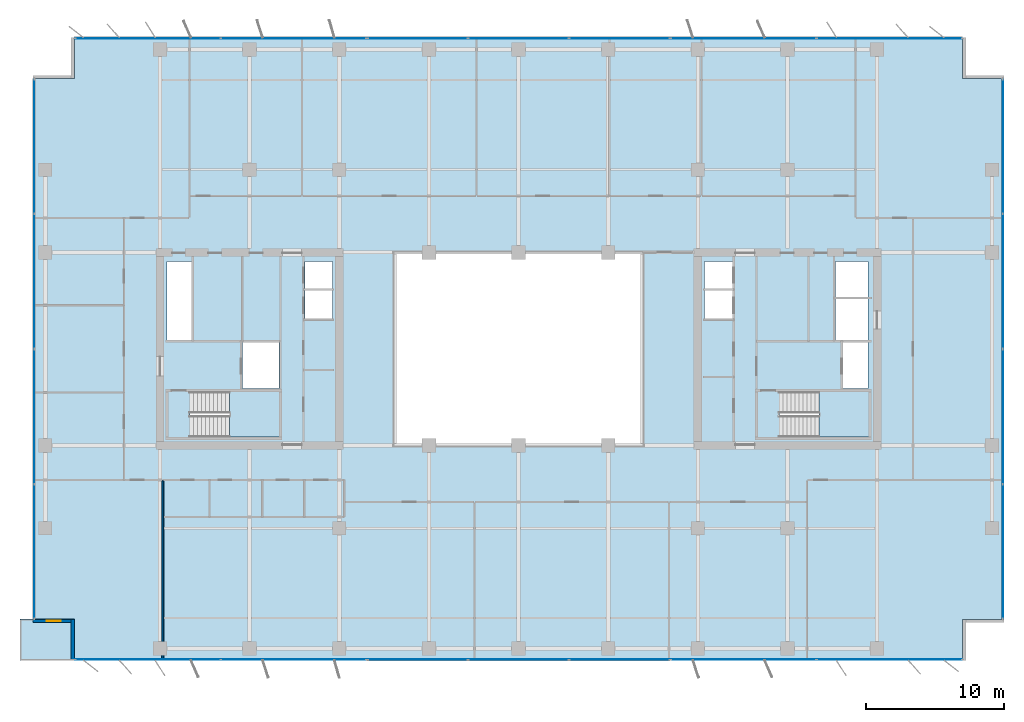
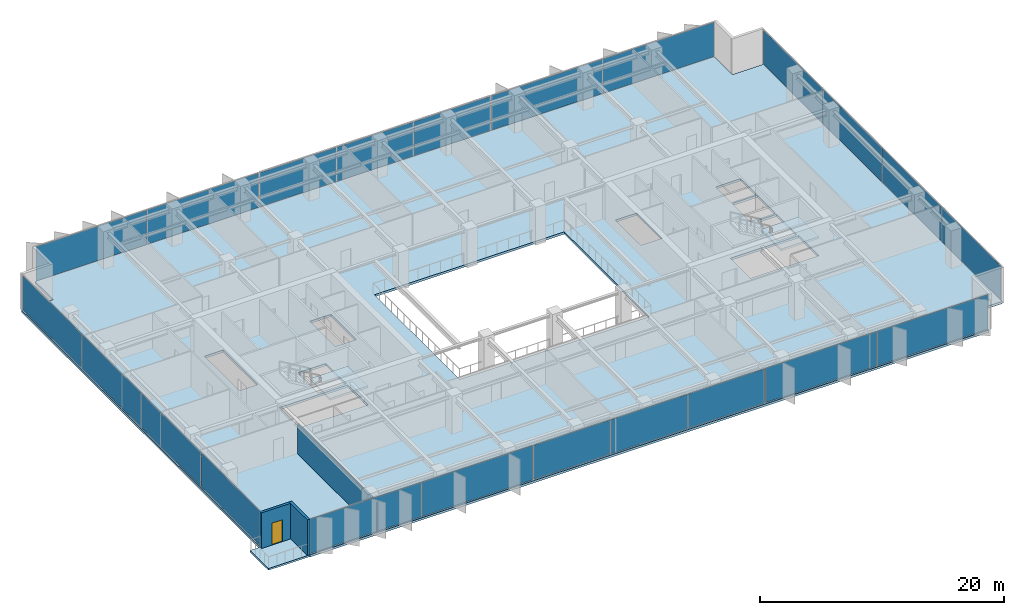
# One storey, part 14 of 22: 22 plates, 4 slabs, 3 walls, 1 door, 1 opening, 10 elements without a shape of their own.
"""IFC4 building model written with IfcOpenShell, lengths in metres."""

from ifc_helpers import new_model, si_unit, direction, frame, frame_2d, origin, origin_2d, place, context, subcontext, project, spatial, polyline, rectangle, outline, extrude, material, layer, layer_set, type_object, element, fill, aggregate, save


model = new_model("IFC4")

# Units and contexts
model_context = context("Model", 3, precision=1e-05, world=origin(), true_north=direction((0.0, 1.0)))
body_context = subcontext(model_context, "Body", "Model", "MODEL_VIEW")
ifc_project = project(units=[si_unit("LENGTHUNIT", "METRE"), si_unit("AREAUNIT", "SQUARE_METRE"), si_unit("VOLUMEUNIT", "CUBIC_METRE"), si_unit("PLANEANGLEUNIT", "RADIAN"), si_unit("MASSUNIT", "GRAM", prefix="KILO")], contexts=[model_context])

# Site, building, storey
site_placement = place(None, origin())
site = spatial("IfcSite", under=ifc_project, at=site_placement, CompositionType="ELEMENT")
building_placement = place(site_placement, origin())
building = spatial("IfcBuilding", under=site, at=building_placement, Name="Putna Gate Headquarters", CompositionType="ELEMENT")
storey_placement = place(building_placement, frame((0.0, 0.0, 159.39990234375)))
storey = spatial("IfcBuildingStorey", under=building, at=storey_placement, Name="L39", CompositionType="ELEMENT", Elevation=159.39990234375)

# Stair, slab
ifc_material_1 = material(Name="Concrete C40/50", Category="concrete")
stair_type_1 = type_object("IfcStairType", Name="STAIR-ST1", PredefinedType="HALF_TURN_STAIR", material=ifc_material_1)
stair_1_placement = place(storey_placement, origin())
stair_1 = element("IfcStair", 1, at=stair_1_placement, inside=storey, type_object=stair_type_1, Name="L39 West Core Exit Stair ST1", PredefinedType="HALF_TURN_STAIR")
ifc_layer_1 = layer(ifc_material_1, 0.199951171875)
ifc_layer_set_1 = layer_set([ifc_layer_1], Name="Concrete C40/50")
slab_type_1 = type_object("IfcSlabType", Name="LANDING-ST1", PredefinedType="LANDING", material=ifc_layer_set_1)
slab_1_placement = place(storey_placement, frame((0.0, 0.0, 1.7001953125)))
slab_1 = element("IfcSlab", 2, at=slab_1_placement, type_object=slab_type_1, Name="ST1 landing 1", PredefinedType="LANDING", context=body_context, shape_type="SweptSolid", body=[
    extrude(outline(polyline([(18.050048828125, 19.60009765625), (21.64990234375, 19.60009765625), (21.64990234375, 22.89990234375), (18.050048828125, 22.89990234375), (18.050048828125, 19.60009765625)])), origin(), (0.0, 0.0, 1.0), 0.199951171875),
])
aggregate(stair_1, [slab_1])

stair_type_2 = type_object("IfcStairType", Name="STAIR-ST2", PredefinedType="HALF_TURN_STAIR", material=ifc_material_1)
stair_2_placement = place(storey_placement, origin())
stair_2 = element("IfcStair", 3, at=stair_2_placement, inside=storey, type_object=stair_type_2, Name="L39 East Core Exit Stair ST2", PredefinedType="HALF_TURN_STAIR")
ifc_layer_2 = layer(ifc_material_1, 0.199951171875)
ifc_layer_set_2 = layer_set([ifc_layer_2], Name="Concrete C40/50")
slab_type_2 = type_object("IfcSlabType", Name="LANDING-ST2", PredefinedType="LANDING", material=ifc_layer_set_2)
slab_2_placement = place(storey_placement, frame((0.0, 0.0, 1.7001953125)))
slab_2 = element("IfcSlab", 4, at=slab_2_placement, type_object=slab_type_2, Name="ST2 landing 1", PredefinedType="LANDING", context=body_context, shape_type="SweptSolid", body=[
    extrude(outline(polyline([(60.800048828125, 19.60009765625), (64.39990234375, 19.60009765625), (64.39990234375, 22.89990234375), (60.800048828125, 22.89990234375), (60.800048828125, 19.60009765625)])), origin(), (0.0, 0.0, 1.0), 0.199951171875),
])
aggregate(stair_2, [slab_2])

# Curtain wall, plates
ifc_material_2 = material(Name="Anodised bronze aluminium curtain wall", Category="aluminium")
ifc_layer_3 = layer(ifc_material_2, 0.159912109375)
ifc_layer_set_3 = layer_set([ifc_layer_3], Name="Anodised bronze aluminium curtain wall")
curtain_wall_type_1 = type_object("IfcCurtainWallType", Name="CW-SYS-Z3", PredefinedType="USERDEFINED", material=ifc_layer_set_3)
curtain_wall_1_placement = place(storey_placement, origin())
curtain_wall_1 = element("IfcCurtainWall", 5, at=curtain_wall_1_placement, inside=storey, type_object=curtain_wall_type_1, Name="L39 South West Curtain Wall", ObjectType="STICK CURTAIN WALL", PredefinedType="USERDEFINED")
ifc_material_3 = material(Name="Solar-control triple low-E glass", Category="glass")
ifc_layer_4 = layer(ifc_material_3, 0.028076171875)
ifc_layer_set_4 = layer_set([ifc_layer_4], Name="Solar-control triple low-E glass")
plate_type_1 = type_object("IfcPlateType", Name="PAN-CWP-3", PredefinedType="CURTAIN_PANEL", material=ifc_layer_set_4)
plate_1_placement = place(storey_placement, frame((12.1162109375, 3.47998046875, 0.06005859375), z_axis=(0.0, 0.0, 1.0), x_axis=(1.0, 0.0, 0.0)))
plate_1 = element("IfcPlate", 6, at=plate_1_placement, type_object=plate_type_1, Name="CWS-3 panel 1.1", PredefinedType="CURTAIN_PANEL", context=body_context, shape_type="SweptSolid", body=[
    extrude(rectangle(XDim=10.50244140625, YDim=0.028076171875, at=origin_2d()), origin(), (0.0, 0.0, 1.0), 3.451904296875),
])
plate_2_placement = place(storey_placement, frame((22.683837890625, 3.47998046875, 0.06005859375), z_axis=(0.0, 0.0, 1.0), x_axis=(1.0, 0.0, 0.0)))
plate_2 = element("IfcPlate", 7, at=plate_2_placement, type_object=plate_type_1, Name="CWS-3 panel 2.1", PredefinedType="CURTAIN_PANEL", context=body_context, shape_type="SweptSolid", body=[
    extrude(rectangle(XDim=10.50244140625, YDim=0.028076171875, at=origin_2d()), origin(), (0.0, 0.0, 1.0), 3.451904296875),
])
aggregate(curtain_wall_1, [plate_1, plate_2])

curtain_wall_2_placement = place(storey_placement, origin())
curtain_wall_2 = element("IfcCurtainWall", 8, at=curtain_wall_2_placement, inside=storey, type_object=curtain_wall_type_1, Name="L39 South East Curtain Wall", ObjectType="STICK CURTAIN WALL", PredefinedType="USERDEFINED")
plate_3_placement = place(storey_placement, frame((55.316162109375, 3.47998046875, 0.06005859375), z_axis=(0.0, 0.0, 1.0), x_axis=(1.0, 0.0, 0.0)))
plate_3 = element("IfcPlate", 9, at=plate_3_placement, type_object=plate_type_1, Name="CWS-3 panel 1.1", PredefinedType="CURTAIN_PANEL", context=body_context, shape_type="SweptSolid", body=[
    extrude(rectangle(XDim=10.50244140625, YDim=0.028076171875, at=origin_2d()), origin(), (0.0, 0.0, 1.0), 3.451904296875),
])
plate_4_placement = place(storey_placement, frame((65.8837890625, 3.47998046875, 0.06005859375), z_axis=(0.0, 0.0, 1.0), x_axis=(1.0, 0.0, 0.0)))
plate_4 = element("IfcPlate", 10, at=plate_4_placement, type_object=plate_type_1, Name="CWS-3 panel 2.1", PredefinedType="CURTAIN_PANEL", context=body_context, shape_type="SweptSolid", body=[
    extrude(rectangle(XDim=10.50244140625, YDim=0.028076171875, at=origin_2d()), origin(), (0.0, 0.0, 1.0), 3.451904296875),
])
aggregate(curtain_wall_2, [plate_3, plate_4])

curtain_wall_3_placement = place(storey_placement, origin())
curtain_wall_3 = element("IfcCurtainWall", 11, at=curtain_wall_3_placement, inside=storey, type_object=curtain_wall_type_1, Name="L39 North West Curtain Wall", ObjectType="STICK CURTAIN WALL", PredefinedType="USERDEFINED")
plate_5_placement = place(storey_placement, frame((12.1162109375, 48.52001953125, 0.06005859375), z_axis=(0.0, 0.0, 1.0), x_axis=(1.0, 0.0, 0.0)))
plate_5 = element("IfcPlate", 12, at=plate_5_placement, type_object=plate_type_1, Name="CWS-3 panel 1.1", PredefinedType="CURTAIN_PANEL", context=body_context, shape_type="SweptSolid", body=[
    extrude(rectangle(XDim=10.50244140625, YDim=0.028076171875, at=origin_2d()), origin(), (0.0, 0.0, 1.0), 3.451904296875),
])
plate_6_placement = place(storey_placement, frame((22.683837890625, 48.52001953125, 0.06005859375), z_axis=(0.0, 0.0, 1.0), x_axis=(1.0, 0.0, 0.0)))
plate_6 = element("IfcPlate", 13, at=plate_6_placement, type_object=plate_type_1, Name="CWS-3 panel 2.1", PredefinedType="CURTAIN_PANEL", context=body_context, shape_type="SweptSolid", body=[
    extrude(rectangle(XDim=10.50244140625, YDim=0.028076171875, at=origin_2d()), origin(), (0.0, 0.0, 1.0), 3.451904296875),
])
aggregate(curtain_wall_3, [plate_5, plate_6])

curtain_wall_4_placement = place(storey_placement, origin())
curtain_wall_4 = element("IfcCurtainWall", 14, at=curtain_wall_4_placement, inside=storey, type_object=curtain_wall_type_1, Name="L39 North East Curtain Wall", ObjectType="STICK CURTAIN WALL", PredefinedType="USERDEFINED")
plate_7_placement = place(storey_placement, frame((55.316162109375, 48.52001953125, 0.06005859375), z_axis=(0.0, 0.0, 1.0), x_axis=(1.0, 0.0, 0.0)))
plate_7 = element("IfcPlate", 15, at=plate_7_placement, type_object=plate_type_1, Name="CWS-3 panel 1.1", PredefinedType="CURTAIN_PANEL", context=body_context, shape_type="SweptSolid", body=[
    extrude(rectangle(XDim=10.50244140625, YDim=0.028076171875, at=origin_2d()), origin(), (0.0, 0.0, 1.0), 3.451904296875),
])
plate_8_placement = place(storey_placement, frame((65.8837890625, 48.52001953125, 0.06005859375), z_axis=(0.0, 0.0, 1.0), x_axis=(1.0, 0.0, 0.0)))
plate_8 = element("IfcPlate", 16, at=plate_8_placement, type_object=plate_type_1, Name="CWS-3 panel 2.1", PredefinedType="CURTAIN_PANEL", context=body_context, shape_type="SweptSolid", body=[
    extrude(rectangle(XDim=10.50244140625, YDim=0.028076171875, at=origin_2d()), origin(), (0.0, 0.0, 1.0), 3.451904296875),
])
aggregate(curtain_wall_4, [plate_7, plate_8])

curtain_wall_5_placement = place(storey_placement, origin())
curtain_wall_5 = element("IfcCurtainWall", 17, at=curtain_wall_5_placement, inside=storey, type_object=curtain_wall_type_1, Name="L39 West Curtain Wall", ObjectType="STICK CURTAIN WALL", PredefinedType="USERDEFINED")
plate_9_placement = place(storey_placement, frame((3.8798828125, 11.316162109375, 0.06005859375), z_axis=(0.0, 0.0, 1.0), x_axis=(0.0, 1.0, 0.0)))
plate_9 = element("IfcPlate", 18, at=plate_9_placement, type_object=plate_type_1, Name="CWS-3 panel 1.1", PredefinedType="CURTAIN_PANEL", context=body_context, shape_type="SweptSolid", body=[
    extrude(rectangle(XDim=9.702392578125, YDim=0.028076171875, at=origin_2d()), origin(), (0.0, 0.0, 1.0), 3.451904296875),
])
plate_10_placement = place(storey_placement, frame((3.8798828125, 21.10009765625, 0.06005859375), z_axis=(0.0, 0.0, 1.0), x_axis=(0.0, 1.0, 0.0)))
plate_10 = element("IfcPlate", 19, at=plate_10_placement, type_object=plate_type_1, Name="CWS-3 panel 2.1", PredefinedType="CURTAIN_PANEL", context=body_context, shape_type="SweptSolid", body=[
    extrude(rectangle(XDim=9.735107421875, YDim=0.028076171875, at=origin_2d()), origin(), (0.0, 0.0, 1.0), 3.451904296875),
])
plate_11_placement = place(storey_placement, frame((3.8798828125, 30.89990234375, 0.06005859375), z_axis=(0.0, 0.0, 1.0), x_axis=(0.0, 1.0, 0.0)))
plate_11 = element("IfcPlate", 20, at=plate_11_placement, type_object=plate_type_1, Name="CWS-3 panel 3.1", PredefinedType="CURTAIN_PANEL", context=body_context, shape_type="SweptSolid", body=[
    extrude(rectangle(XDim=9.735107421875, YDim=0.028076171875, at=origin_2d()), origin(), (0.0, 0.0, 1.0), 3.451904296875),
])
plate_12_placement = place(storey_placement, frame((3.8798828125, 40.683837890625, 0.06005859375), z_axis=(0.0, 0.0, 1.0), x_axis=(0.0, 1.0, 0.0)))
plate_12 = element("IfcPlate", 21, at=plate_12_placement, type_object=plate_type_1, Name="CWS-3 panel 4.1", PredefinedType="CURTAIN_PANEL", context=body_context, shape_type="SweptSolid", body=[
    extrude(rectangle(XDim=9.702392578125, YDim=0.028076171875, at=origin_2d()), origin(), (0.0, 0.0, 1.0), 3.451904296875),
])
aggregate(curtain_wall_5, [plate_9, plate_10, plate_11, plate_12])

curtain_wall_6_placement = place(storey_placement, origin())
curtain_wall_6 = element("IfcCurtainWall", 22, at=curtain_wall_6_placement, inside=storey, type_object=curtain_wall_type_1, Name="L39 East Curtain Wall", ObjectType="STICK CURTAIN WALL", PredefinedType="USERDEFINED")
plate_13_placement = place(storey_placement, frame((74.1201171875, 11.316162109375, 0.06005859375), z_axis=(0.0, 0.0, 1.0), x_axis=(0.0, 1.0, 0.0)))
plate_13 = element("IfcPlate", 23, at=plate_13_placement, type_object=plate_type_1, Name="CWS-3 panel 1.1", PredefinedType="CURTAIN_PANEL", context=body_context, shape_type="SweptSolid", body=[
    extrude(rectangle(XDim=9.702392578125, YDim=0.028076171875, at=origin_2d()), origin(), (0.0, 0.0, 1.0), 3.451904296875),
])
plate_14_placement = place(storey_placement, frame((74.1201171875, 21.10009765625, 0.06005859375), z_axis=(0.0, 0.0, 1.0), x_axis=(0.0, 1.0, 0.0)))
plate_14 = element("IfcPlate", 24, at=plate_14_placement, type_object=plate_type_1, Name="CWS-3 panel 2.1", PredefinedType="CURTAIN_PANEL", context=body_context, shape_type="SweptSolid", body=[
    extrude(rectangle(XDim=9.735107421875, YDim=0.028076171875, at=origin_2d()), origin(), (0.0, 0.0, 1.0), 3.451904296875),
])
plate_15_placement = place(storey_placement, frame((74.1201171875, 30.89990234375, 0.06005859375), z_axis=(0.0, 0.0, 1.0), x_axis=(0.0, 1.0, 0.0)))
plate_15 = element("IfcPlate", 25, at=plate_15_placement, type_object=plate_type_1, Name="CWS-3 panel 3.1", PredefinedType="CURTAIN_PANEL", context=body_context, shape_type="SweptSolid", body=[
    extrude(rectangle(XDim=9.735107421875, YDim=0.028076171875, at=origin_2d()), origin(), (0.0, 0.0, 1.0), 3.451904296875),
])
plate_16_placement = place(storey_placement, frame((74.1201171875, 40.683837890625, 0.06005859375), z_axis=(0.0, 0.0, 1.0), x_axis=(0.0, 1.0, 0.0)))
plate_16 = element("IfcPlate", 26, at=plate_16_placement, type_object=plate_type_1, Name="CWS-3 panel 4.1", PredefinedType="CURTAIN_PANEL", context=body_context, shape_type="SweptSolid", body=[
    extrude(rectangle(XDim=9.702392578125, YDim=0.028076171875, at=origin_2d()), origin(), (0.0, 0.0, 1.0), 3.451904296875),
])
aggregate(curtain_wall_6, [plate_13, plate_14, plate_15, plate_16])

ifc_layer_5 = layer(ifc_material_2, 0.179931640625)
ifc_layer_set_5 = layer_set([ifc_layer_5], Name="Anodised bronze aluminium curtain wall")
curtain_wall_type_2 = type_object("IfcCurtainWallType", Name="CW-SYS-ATR", PredefinedType="USERDEFINED", material=ifc_layer_set_5)
curtain_wall_7_placement = place(storey_placement, origin())
curtain_wall_7 = element("IfcCurtainWall", 27, at=curtain_wall_7_placement, inside=storey, type_object=curtain_wall_type_2, Name="L39 South Atrium Clear Glazing", ObjectType="ATRIUM GLAZING", PredefinedType="USERDEFINED")
ifc_material_4 = material(Name="Clear low-iron triple glazing", Category="glass")
ifc_layer_6 = layer(ifc_material_4, 0.0400390625)
ifc_layer_set_6 = layer_set([ifc_layer_6], Name="Clear low-iron triple glazing")
plate_type_2 = type_object("IfcPlateType", Name="PAN-CWP-AT", PredefinedType="CURTAIN_PANEL", material=ifc_layer_set_6)
plate_17_placement = place(storey_placement, frame((31.68408203125, 3.47998046875, 0.0703125), z_axis=(0.0, 0.0, 1.0), x_axis=(1.0, 0.0, 0.0)))
plate_17 = element("IfcPlate", 28, at=plate_17_placement, type_object=plate_type_2, Name="CWS-AT panel 1.1", PredefinedType="CURTAIN_PANEL", context=body_context, shape_type="SweptSolid", body=[
    extrude(rectangle(XDim=7.228271484375, YDim=0.0400390625, at=origin_2d()), origin(), (0.0, 0.0, 1.0), 3.431884765625),
])
plate_18_placement = place(storey_placement, frame((39.0, 3.47998046875, 0.0703125), z_axis=(0.0, 0.0, 1.0), x_axis=(1.0, 0.0, 0.0)))
plate_18 = element("IfcPlate", 29, at=plate_18_placement, type_object=plate_type_2, Name="CWS-AT panel 2.1", PredefinedType="CURTAIN_PANEL", context=body_context, shape_type="SweptSolid", body=[
    extrude(rectangle(XDim=7.263427734375, YDim=0.0400390625, at=origin_2d()), origin(), (0.0, 0.0, 1.0), 3.431884765625),
])
plate_19_placement = place(storey_placement, frame((46.31591796875, 3.47998046875, 0.0703125), z_axis=(0.0, 0.0, 1.0), x_axis=(1.0, 0.0, 0.0)))
plate_19 = element("IfcPlate", 30, at=plate_19_placement, type_object=plate_type_2, Name="CWS-AT panel 3.1", PredefinedType="CURTAIN_PANEL", context=body_context, shape_type="SweptSolid", body=[
    extrude(rectangle(XDim=7.228271484375, YDim=0.0400390625, at=origin_2d()), origin(), (0.0, 0.0, 1.0), 3.431884765625),
])
aggregate(curtain_wall_7, [plate_17, plate_18, plate_19])

curtain_wall_8_placement = place(storey_placement, origin())
curtain_wall_8 = element("IfcCurtainWall", 31, at=curtain_wall_8_placement, inside=storey, type_object=curtain_wall_type_2, Name="L39 North Atrium Clear Glazing", ObjectType="ATRIUM GLAZING", PredefinedType="USERDEFINED")
plate_20_placement = place(storey_placement, frame((31.68408203125, 48.52001953125, 0.0703125), z_axis=(0.0, 0.0, 1.0), x_axis=(1.0, 0.0, 0.0)))
plate_20 = element("IfcPlate", 32, at=plate_20_placement, type_object=plate_type_2, Name="CWS-AT panel 1.1", PredefinedType="CURTAIN_PANEL", context=body_context, shape_type="SweptSolid", body=[
    extrude(rectangle(XDim=7.228271484375, YDim=0.0400390625, at=origin_2d()), origin(), (0.0, 0.0, 1.0), 3.431884765625),
])
plate_21_placement = place(storey_placement, frame((39.0, 48.52001953125, 0.0703125), z_axis=(0.0, 0.0, 1.0), x_axis=(1.0, 0.0, 0.0)))
plate_21 = element("IfcPlate", 33, at=plate_21_placement, type_object=plate_type_2, Name="CWS-AT panel 2.1", PredefinedType="CURTAIN_PANEL", context=body_context, shape_type="SweptSolid", body=[
    extrude(rectangle(XDim=7.263427734375, YDim=0.0400390625, at=origin_2d()), origin(), (0.0, 0.0, 1.0), 3.431884765625),
])
plate_22_placement = place(storey_placement, frame((46.31591796875, 48.52001953125, 0.0703125), z_axis=(0.0, 0.0, 1.0), x_axis=(1.0, 0.0, 0.0)))
plate_22 = element("IfcPlate", 34, at=plate_22_placement, type_object=plate_type_2, Name="CWS-AT panel 3.1", PredefinedType="CURTAIN_PANEL", context=body_context, shape_type="SweptSolid", body=[
    extrude(rectangle(XDim=7.228271484375, YDim=0.0400390625, at=origin_2d()), origin(), (0.0, 0.0, 1.0), 3.431884765625),
])
aggregate(curtain_wall_8, [plate_20, plate_21, plate_22])

# Slabs
ifc_layer_7 = layer(ifc_material_1, 0.179931640625)
ifc_layer_set_7 = layer_set([ifc_layer_7], Name="Concrete C40/50")
slab_type_3 = type_object("IfcSlabType", Name="SLAB-TERRACE-180", PredefinedType="FLOOR", material=ifc_layer_set_7)
slab_3_placement = place(storey_placement, frame((0.0, 0.0, -0.179931640625)))
element("IfcSlab", 35, at=slab_3_placement, inside=storey, type_object=slab_type_3, Name="L39 Spiral Sky-Garden Terrace Slab (SW)", PredefinedType="FLOOR", context=body_context, shape_type="SweptSolid", body=[
    extrude(outline(polyline([(2.85009765625, 3.39990234375), (6.80810546875, 3.39990234375), (6.80810546875, 6.407958984375), (2.85009765625, 6.407958984375), (2.85009765625, 3.39990234375)])), origin(), (0.0, 0.0, 1.0), 0.179931640625),
])
ifc_layer_8 = layer(ifc_material_1, 0.22802734375)
ifc_layer_set_8 = layer_set([ifc_layer_8], Name="Concrete C40/50")
slab_type_4 = type_object("IfcSlabType", Name="SLAB-Z3-228", PredefinedType="FLOOR", material=ifc_layer_set_8)
slab_4_placement = place(storey_placement, frame((0.0, 0.0, -0.227783203125)))
element("IfcSlab", 36, at=slab_4_placement, inside=storey, type_object=slab_type_4, Name="L39 Composite Floor Slab", PredefinedType="FLOOR", context=body_context, shape_type="SweptSolid", body=[
    extrude(outline(polyline([(6.800048828125, 3.39990234375), (71.199951171875, 3.39990234375), (71.199951171875, 6.39990234375), (74.199951171875, 6.39990234375), (74.199951171875, 45.60009765625), (71.199951171875, 45.60009765625), (71.199951171875, 48.60009765625), (6.800048828125, 48.60009765625), (6.800048828125, 45.60009765625), (3.800048828125, 45.60009765625), (3.800048828125, 6.39990234375), (6.800048828125, 6.39990234375), (6.800048828125, 3.39990234375)]), holes=[polyline([(15.1650390625, 19.60009765625), (21.64990234375, 19.60009765625), (21.64990234375, 22.89990234375), (15.1650390625, 22.89990234375), (15.1650390625, 19.60009765625)]), polyline([(57.9150390625, 19.60009765625), (64.39990234375, 19.60009765625), (64.39990234375, 22.89990234375), (57.9150390625, 22.89990234375), (57.9150390625, 19.60009765625)]), polyline([(13.52001953125, 26.659912109375), (15.280029296875, 26.659912109375), (15.280029296875, 32.35009765625), (13.52001953125, 32.35009765625), (13.52001953125, 26.659912109375)]), polyline([(61.969970703125, 29.780029296875), (64.35009765625, 29.780029296875), (64.35009765625, 32.35009765625), (61.969970703125, 32.35009765625), (61.969970703125, 29.780029296875)]), polyline([(18.97998046875, 23.1201171875), (21.6201171875, 23.1201171875), (21.6201171875, 26.4599609375), (18.97998046875, 26.4599609375), (18.97998046875, 23.1201171875)]), polyline([(62.52001953125, 23.1201171875), (64.35009765625, 23.1201171875), (64.35009765625, 26.4599609375), (62.52001953125, 26.4599609375), (62.52001953125, 23.1201171875)]), polyline([(61.969970703125, 26.659912109375), (64.35009765625, 26.659912109375), (64.35009765625, 29.6201171875), (61.969970703125, 29.6201171875), (61.969970703125, 26.659912109375)]), polyline([(23.5, 28.199951171875), (25.5, 28.199951171875), (25.5, 32.35009765625), (23.5, 32.35009765625), (23.5, 28.199951171875)]), polyline([(52.47998046875, 28.199951171875), (54.5, 28.199951171875), (54.5, 32.35009765625), (52.47998046875, 32.35009765625), (52.47998046875, 28.199951171875)]), polyline([(30.0, 19.0), (48.0, 19.0), (48.0, 33.0), (30.0, 33.0), (30.0, 19.0)])]), origin(), (0.0, 0.0, 1.0), 0.227783203125),
])

# Wall
ifc_material_5 = material(Name="Precast concrete C40/50", Category="concrete")
ifc_layer_9 = layer(ifc_material_5, 0.239990234375)
ifc_layer_set_9 = layer_set([ifc_layer_9], Name="Precast concrete C40/50")
wall_type_1 = type_object("IfcWallType", Name="WALL-EXT-TERR-240", PredefinedType="STANDARD", material=ifc_layer_set_9)
wall_1_placement = place(storey_placement, frame((6.679931640625, 3.39990234375, 0.0), z_axis=(0.0, 0.0, 1.0), x_axis=(0.0, 1.0, 0.0)))
element("IfcWall", 37, at=wall_1_placement, inside=storey, type_object=wall_type_1, Name="L39 Corner Notch Return Wall SW-V", PredefinedType="STANDARD", context=body_context, shape_type="SweptSolid", body=[
    extrude(rectangle(XDim=3.0, YDim=0.239990234375, at=frame_2d((1.5, 0.0))), origin(), (0.0, 0.0, 1.0), 3.572021484375),
])

# Wall, opening, door
wall_2_placement = place(storey_placement, frame((6.800048828125, 6.280029296875, 0.0), z_axis=(0.0, 0.0, 1.0), x_axis=(-1.0, 0.0, 0.0)))
wall_2 = element("IfcWall", 38, at=wall_2_placement, inside=storey, type_object=wall_type_1, Name="L39 Corner Notch Return Wall SW-H", PredefinedType="STANDARD", context=body_context, shape_type="SweptSolid", body=[
    extrude(rectangle(XDim=3.0, YDim=0.239990234375, at=frame_2d((1.5, 0.0))), origin(), (0.0, 0.0, 1.0), 3.572021484375),
])
opening_placement = place(wall_2_placement, frame((1.0, 0.0, 0.0)))
opening = element("IfcOpeningElement", 39, at=opening_placement, cuts=wall_2, Name="Opening TRD-1", PredefinedType="OPENING", context=body_context, shape_type="SweptSolid", body=[
    extrude(rectangle(XDim=1.0, YDim=2.199951171875, at=frame_2d((0.5, 1.10009765625))), frame((0.0, 0.1298828125, 0.0), z_axis=(0.0, -1.0, 0.0), x_axis=(1.0, 0.0, 0.0)), (0.0, 0.0, 1.0), 0.260009765625),
])
ifc_material_6 = material(Name="Thermally broken bronze glazed terrace door")
door_type = type_object("IfcDoorType", Name="DOOR-TERR-EXT-1000", OperationType="NOTDEFINED", PredefinedType="DOOR", material=ifc_material_6)
door_placement = place(opening_placement, origin())
door = element("IfcDoor", 40, at=door_placement, inside=storey, type_object=door_type, Name="L39 Spiral Sky Terrace Door SW", OperationType="SINGLE_SWING_LEFT", OverallHeight=2.199951171875, OverallWidth=1.0, PredefinedType="DOOR", context=body_context, shape_type="SweptSolid", body=[
    extrude(rectangle(XDim=1.0, YDim=2.199951171875, at=frame_2d((0.5, 1.10009765625))), frame((0.0, 0.02490234375, 0.0), z_axis=(0.0, -1.0, 0.0), x_axis=(1.0, 0.0, 0.0)), (0.0, 0.0, 1.0), 0.050048828125),
])
fill(opening, door)

# Wall
ifc_material_7 = material(Name="Acoustic gypsum board on metal stud")
ifc_layer_10 = layer(ifc_material_7, 0.1201171875)
ifc_layer_set_10 = layer_set([ifc_layer_10], Name="Acoustic gypsum board on metal stud")
wall_type_2 = type_object("IfcWallType", Name="WALL-PART-120", PredefinedType="PARTITIONING", material=ifc_layer_set_10)
wall_3_placement = place(storey_placement, frame((13.199951171875, 3.419921875, 0.0), z_axis=(0.0, 0.0, 1.0), x_axis=(0.0, 1.0, 0.0)))
element("IfcWall", 41, at=wall_3_placement, inside=storey, type_object=wall_type_2, Name="L39 Interior Wall PART-L39-SB-DIV-01", PredefinedType="PARTITIONING", context=body_context, shape_type="SweptSolid", body=[
    extrude(rectangle(XDim=13.02001953125, YDim=0.1201171875, at=frame_2d((6.510009765625, 0.0))), origin(), (0.0, 0.0, 1.0), 3.022216796875),
])

save(model, "model.ifc")
